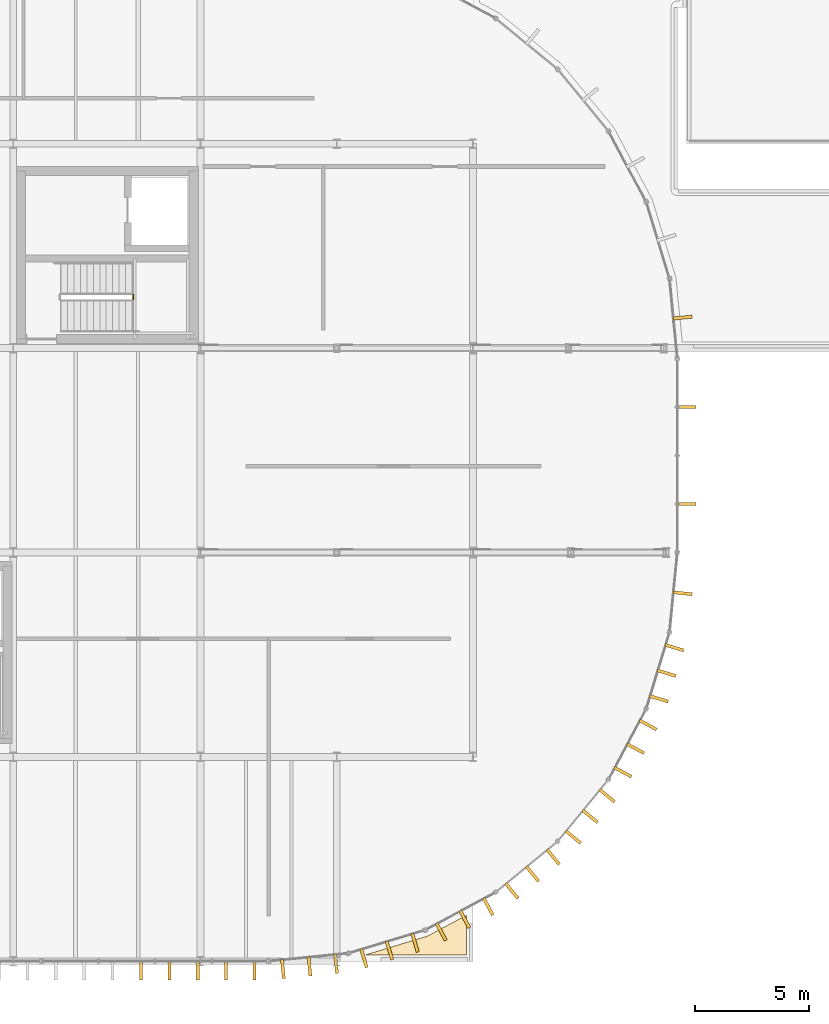
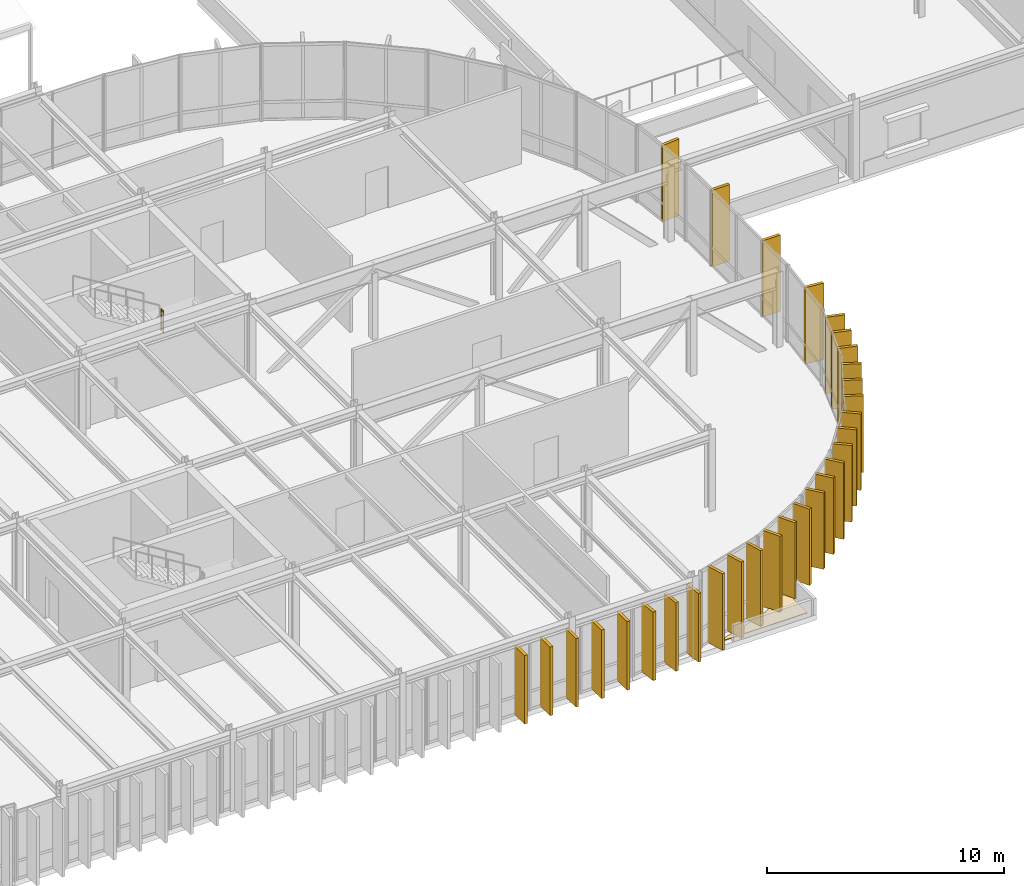
# One storey, part 63 of 69: 31 coverings, 1 railing.
"""IFC4 building model written with IfcOpenShell, lengths in metres."""

from ifc_helpers import new_model, si_unit, direction, frame, origin, origin_2d, place, context, subcontext, project, spatial, polyline, rectangle, circle, outline, extrude, material, layer, layer_set, type_object, element, save


model = new_model("IFC4")

# Units and contexts
model_context = context("Model", 3, precision=1e-05, world=origin(), true_north=direction((0.0, 1.0)))
body_context = subcontext(model_context, "Body", "Model", "MODEL_VIEW")
ifc_project = project(units=[si_unit("LENGTHUNIT", "METRE"), si_unit("AREAUNIT", "SQUARE_METRE"), si_unit("VOLUMEUNIT", "CUBIC_METRE"), si_unit("PLANEANGLEUNIT", "RADIAN"), si_unit("MASSUNIT", "GRAM", prefix="KILO")], contexts=[model_context])

# Site, building, storey
site_placement = place(None, origin())
site = spatial("IfcSite", under=ifc_project, at=site_placement, CompositionType="ELEMENT")
building_placement = place(site_placement, origin())
building = spatial("IfcBuilding", under=site, at=building_placement, Name="Montealbar Specialist Clinic", CompositionType="ELEMENT")
storey_placement = place(building_placement, frame((0.0, 0.0, 9.60009765625)))
storey = spatial("IfcBuildingStorey", under=building, at=storey_placement, Name="L02", CompositionType="ELEMENT", Elevation=9.60009765625)

# Coverings
ifc_material_1 = material(Name="Thermally modified timber cladding", Category="wood")
ifc_layer_1 = layer(ifc_material_1, 0.139892578125, Name="Thermally modified timber cladding", Category="wood")
ifc_layer_set_1 = layer_set([ifc_layer_1], Name="Thermally modified timber cladding")
covering_type_1 = type_object("IfcCoveringType", Name="COV-FIN-TIMBER-850", PredefinedType="CLADDING", material=ifc_layer_set_1)
for number, where, z_axis, x_axis, name in (
    (1, (120.22509765625, 28.344970703125, 0.0), (0.0, 0.0, 1.0), (0.995182012183, 0.098044697094, 0.0), "Vertical Timber Solar Fin CF-L02-0087"),
    (2, (120.39990234375, 24.4130859375, 0.0), (0.0, 0.0, 1.0), (1.0, 0.0, 0.0), "Vertical Timber Solar Fin CF-L02-0088"),
    (3, (120.39990234375, 20.136962890625, 0.0), (0.0, 0.0, 1.0), (1.0, 0.0, 0.0), "Vertical Timber Solar Fin CF-L02-0089"),
    (4, (120.22509765625, 16.205078125, 0.0), (0.0, 0.0, 1.0), (0.995182012183, -0.098044697094, 0.0), "Vertical Timber Solar Fin CF-L02-0090"),
    (5, (119.865966796875, 13.80908203125, 0.0), (0.0, 0.0, 1.0), (0.956948083701, -0.290259134399, 0.0), "Vertical Timber Solar Fin CF-L02-0091"),
    (6, (119.52490234375, 12.68408203125, 0.0), (0.0, 0.0, 1.0), (0.956948083701, -0.290259134399, 0.0), "Vertical Timber Solar Fin CF-L02-0092"),
    (7, (119.18310546875, 11.55908203125, 0.0), (0.0, 0.0, 1.0), (0.956948083701, -0.290259134399, 0.0), "Vertical Timber Solar Fin CF-L02-0093"),
    (8, (118.705078125, 10.405029296875, 0.0), (0.0, 0.0, 1.0), (0.881850411644, -0.471529268958, 0.0), "Vertical Timber Solar Fin CF-L02-0094"),
    (9, (118.15087890625, 9.366943359375, 0.0), (0.0, 0.0, 1.0), (0.881850411644, -0.471529268958, 0.0), "Vertical Timber Solar Fin CF-L02-0095"),
    (10, (117.595947265625, 8.330078125, 0.0), (0.0, 0.0, 1.0), (0.881850411644, -0.471529268958, 0.0), "Vertical Timber Solar Fin CF-L02-0096"),
    (11, (116.902099609375, 7.2919921875, 0.0), (0.0, 0.0, 1.0), (0.773123255923, -0.634255808922, 0.0), "Vertical Timber Solar Fin CF-L02-0097"),
    (12, (116.156005859375, 6.382080078125, 0.0), (0.0, 0.0, 1.0), (0.773123255923, -0.634255808922, 0.0), "Vertical Timber Solar Fin CF-L02-0098"),
    (13, (115.409912109375, 5.472900390625, 0.0), (0.0, 0.0, 1.0), (0.773123255923, -0.634255808922, 0.0), "Vertical Timber Solar Fin CF-L02-0099"),
    (14, (114.527099609375, 4.590087890625, 0.0), (0.0, 0.0, 1.0), (0.634255808922, -0.773123255923, 0.0), "Vertical Timber Solar Fin CF-L02-0100"),
    (15, (113.617919921875, 3.843994140625, 0.0), (0.0, 0.0, 1.0), (0.634255808922, -0.773123255923, 0.0), "Vertical Timber Solar Fin CF-L02-0101"),
    (16, (112.7080078125, 3.097900390625, 0.0), (0.0, 0.0, 1.0), (0.634255808922, -0.773123255923, 0.0), "Vertical Timber Solar Fin CF-L02-0102"),
    (17, (111.669921875, 2.404052734375, 0.0), (0.0, 0.0, 1.0), (0.471529268958, -0.881850411644, 0.0), "Vertical Timber Solar Fin CF-L02-0103"),
    (18, (110.633056640625, 1.84912109375, 0.0), (0.0, 0.0, 1.0), (0.471529268958, -0.881850411644, 0.0), "Vertical Timber Solar Fin CF-L02-0104"),
    (19, (109.594970703125, 1.294921875, 0.0), (0.0, 0.0, 1.0), (0.471529268958, -0.881850411644, 0.0), "Vertical Timber Solar Fin CF-L02-0105"),
    (20, (108.44091796875, 0.81689453125, 0.0), (0.0, 0.0, 1.0), (0.290259134399, -0.956948083701, 0.0), "Vertical Timber Solar Fin CF-L02-0106"),
    (21, (107.31591796875, 0.47509765625, 0.0), (0.0, 0.0, 1.0), (0.290259134399, -0.956948083701, 0.0), "Vertical Timber Solar Fin CF-L02-0107"),
    (22, (106.19091796875, 0.134033203125, 0.0), (0.0, 0.0, 1.0), (0.290259134399, -0.956948083701, 0.0), "Vertical Timber Solar Fin CF-L02-0108"),
):
    element("IfcCovering", number, at=place(storey_placement, frame(where, z_axis=z_axis, x_axis=x_axis)), inside=storey, type_object=covering_type_1, Name=name, PredefinedType="CLADDING", context=body_context, shape_type="SweptSolid", body=[
        extrude(rectangle(XDim=0.85009765625, YDim=0.139892578125, at=origin_2d()), origin(), (0.0, 0.0, 1.0), 3.929931640625),
    ])
for number, where, z_axis, x_axis, name in (
    (23, (104.966064453125, -0.110107421875, 0.0), (0.0, 0.0, 1.0), (0.098044697094, -0.995182012183, 0.0), "Vertical Timber Solar Fin CF-L02-0109"),
    (24, (103.794921875, -0.22509765625, 0.0), (0.0, 0.0, 1.0), (0.098044697094, -0.995182012183, 0.0), "Vertical Timber Solar Fin CF-L02-0110"),
    (25, (102.625, -0.340087890625, 0.0), (0.0, 0.0, 1.0), (0.098044697094, -0.995182012183, 0.0), "Vertical Timber Solar Fin CF-L02-0111"),
    (26, (101.375, -0.39990234375, 0.0), (0.0, 0.0, 1.0), (0.0, -1.0, 0.0), "Vertical Timber Solar Fin CF-L02-0112"),
    (27, (100.125, -0.39990234375, 0.0), (0.0, 0.0, 1.0), (0.0, -1.0, 0.0), "Vertical Timber Solar Fin CF-L02-0113"),
    (28, (98.875, -0.39990234375, 0.0), (0.0, 0.0, 1.0), (0.0, -1.0, 0.0), "Vertical Timber Solar Fin CF-L02-0114"),
    (29, (97.625, -0.39990234375, 0.0), (0.0, 0.0, 1.0), (0.0, -1.0, 0.0), "Vertical Timber Solar Fin CF-L02-0115"),
    (30, (96.375, -0.39990234375, 0.0), (0.0, 0.0, 1.0), (0.0, -1.0, 0.0), "Vertical Timber Solar Fin CF-L02-0116"),
):
    element("IfcCovering", number, at=place(storey_placement, frame(where, z_axis=z_axis, x_axis=x_axis)), inside=storey, type_object=covering_type_1, Name=name, PredefinedType="CLADDING", context=body_context, shape_type="SweptSolid", body=[
        extrude(rectangle(XDim=0.85009765625, YDim=0.139892578125, at=origin_2d()), origin(), (0.0, 0.0, 1.0), 3.530029296875),
    ])
ifc_material_2 = material(Name="Weatherproof roofing membrane", Category="concrete")
ifc_layer_2 = layer(ifc_material_2, 0.030029296875, Name="Weatherproof roofing membrane", Category="concrete")
ifc_layer_set_2 = layer_set([ifc_layer_2], Name="Weatherproof roofing membrane")
covering_type_2 = type_object("IfcCoveringType", Name="COV-ROOF-MEMB", PredefinedType="ROOFING", material=ifc_layer_set_2)
covering_placement = place(storey_placement, origin())
element("IfcCovering", 31, at=covering_placement, inside=storey, type_object=covering_type_2, Name="Weatherproof Roof Membrane ROOF-L02-04", PredefinedType="ROOFING", context=body_context, shape_type="SweptSolid", body=[
    extrude(outline(polyline([(106.259033203125, 0.280029296875), (108.968994140625, 1.10205078125), (108.9951171875, 1.111083984375), (109.02001953125, 1.123046875), (110.719970703125, 2.031982421875), (110.719970703125, 0.280029296875), (106.259033203125, 0.280029296875)])), origin(), (0.0, 0.0, 1.0), 0.02978515625),
])

# Railing
ifc_material_3 = material(Name="Steel S355", Category="steel")
ifc_layer_3 = layer(ifc_material_3, 0.050048828125, Name="Steel S355", Category="steel")
ifc_layer_set_3 = layer_set([ifc_layer_3], Name="Steel S355")
railing_type = type_object("IfcRailingType", Name="RAIL-STAIR-BAL-1100", PredefinedType="BALUSTRADE", material=ifc_layer_set_3)
railing_placement = place(storey_placement, frame((96.034912109375, 29.14990234375, 2.099853515625)))
element("IfcRailing", 32, at=railing_placement, inside=storey, type_object=railing_type, Name="L02 ST-05 stair guard 2", PredefinedType="BALUSTRADE", context=body_context, shape_type="SweptSolid", body=[
    extrude(circle(Radius=0.02392578125, at=origin_2d()), frame((0.0, 0.0, 1.076171875), z_axis=(0.0, 1.0, 0.0), x_axis=(-1.0, 0.0, 0.0)), (0.0, 0.0, 1.0), 0.2001953125),
    extrude(circle(Radius=0.02099609375, at=origin_2d()), frame((0.0, 0.0, -0.02490234375)), (0.0, 0.0, 1.0), 1.076904296875),
    extrude(circle(Radius=0.02099609375, at=origin_2d()), frame((0.0, 0.2001953125, -0.02490234375)), (0.0, 0.0, 1.0), 1.076904296875),
])

save(model, "model.ifc")
